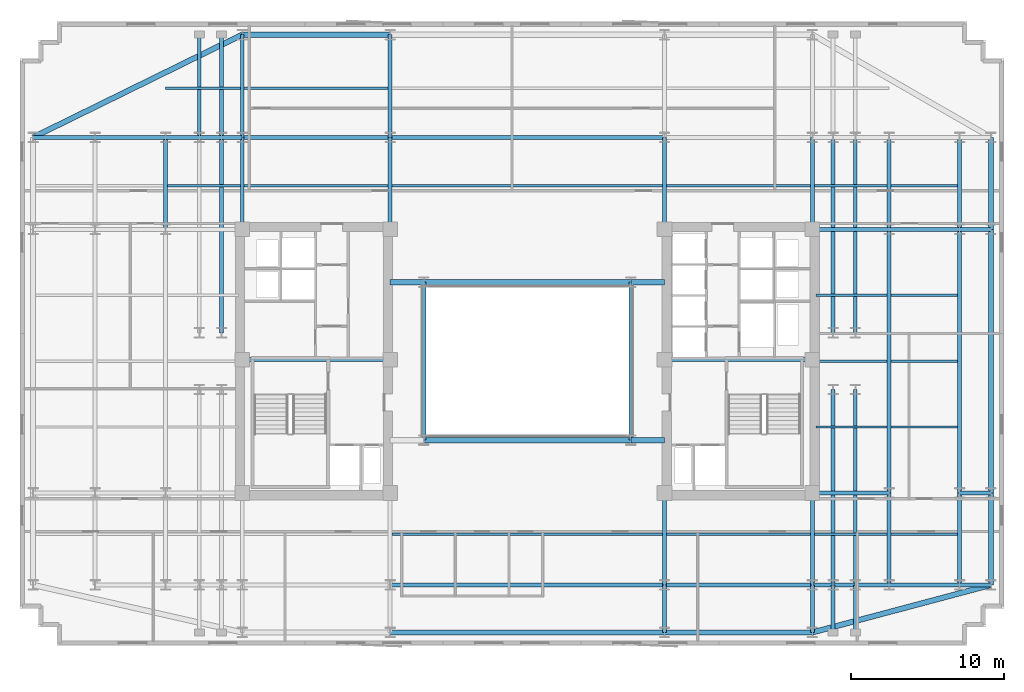
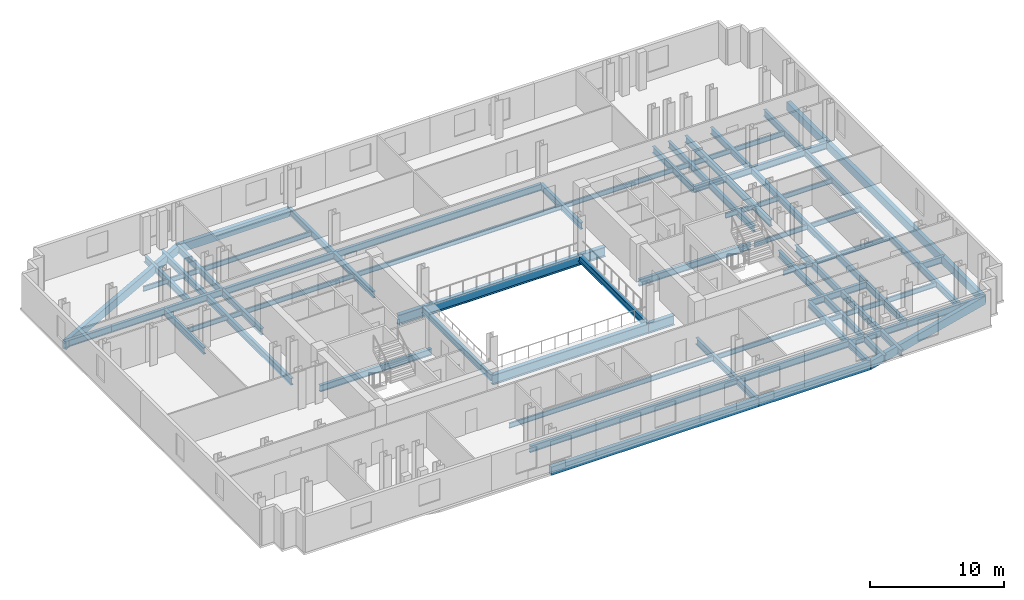
# One storey, part 2 of 10: 76 beams.
"""IFC4 building model written with IfcOpenShell, lengths in metres."""

import ifcopenshell
import ifcopenshell.guid

model = None  # the IFC model being written
_history = None  # IfcOwnerHistory: only IFC2X3 demands one
_inside = {}  # id of a spatial element -> (the spatial element, [elements in it])
_under = {}  # id of a project, library or spatial element -> (it, [spatial elements below it])
_declared = {}  # id of a project -> (the project, [libraries it declares])
_typed = {}  # id of a type object -> (the type object, [elements of that type])
_made_of = {}  # id of a material, layer set ... -> (it, [elements and type objects made of it])


def new_model(schema):
    """Start an empty IFC model of exactly this schema.

    Asked for "IFC4X3", IfcOpenShell would pick the latest addendum, in which some entities
    have other attributes; the version numbers below select the first issue.
    IFC2X3 requires an IfcOwnerHistory on every rooted entity: one is made here for all.
    """
    global model, _history
    if schema == "IFC4X3":
        model = ifcopenshell.file(schema_version=(4, 3, 0, 0))
    else:
        model = ifcopenshell.file(schema=schema)
    _inside.clear()
    _under.clear()
    _declared.clear()
    _typed.clear()
    _made_of.clear()
    _history = None
    if model.schema == "IFC2X3":
        org = make("IfcOrganization", Name="unknown")
        user = make(
            "IfcPersonAndOrganization",
            ThePerson=make("IfcPerson", FamilyName="unknown"),
            TheOrganization=org,
        )
        app = make(
            "IfcApplication",
            ApplicationDeveloper=org,
            Version="unknown",
            ApplicationFullName="unknown",
            ApplicationIdentifier="unknown",
        )
        _history = make(
            "IfcOwnerHistory",
            OwningUser=user,
            OwningApplication=app,
            ChangeAction="ADDED",
            CreationDate=0,
        )
    return model


def make(cls, **values):
    """One entity of the class cls with the attributes given. An attribute that is None is left unset."""
    return model.create_entity(
        cls, **{name: value for name, value in values.items() if value is not None}
    )


def rooted(cls, **values):
    """An entity with a GlobalId (a new one), such as an element, a storey or a relation."""
    return make(cls, GlobalId=ifcopenshell.guid.new(), OwnerHistory=_history, **values)


def si_unit(unit_type, name, prefix=None):
    """IfcSIUnit, for example si_unit("LENGTHUNIT", "METRE", prefix="MILLI")."""
    return make("IfcSIUnit", UnitType=unit_type, Prefix=prefix, Name=name)


def assignment(units):
    """IfcUnitAssignment: the units of a project."""
    return None if units is None else make("IfcUnitAssignment", Units=units)


def point(xyz):
    """IfcCartesianPoint."""
    return None if xyz is None else make("IfcCartesianPoint", Coordinates=xyz)


def direction(xyz):
    """IfcDirection."""
    return None if xyz is None else make("IfcDirection", DirectionRatios=xyz)


def frame(location, z_axis=None, x_axis=None):
    """IfcAxis2Placement3D, a coordinate frame: its origin and axes. An axis left out is left unset."""
    return make(
        "IfcAxis2Placement3D",
        Location=point(location),
        Axis=direction(z_axis),
        RefDirection=direction(x_axis),
    )


def frame_2d(location, x_axis=None):
    """IfcAxis2Placement2D, a coordinate frame in the plane: its origin and x axis."""
    return make(
        "IfcAxis2Placement2D", Location=point(location), RefDirection=direction(x_axis)
    )


def origin():
    """The frame at (0, 0, 0) with its axes left unset."""
    return frame((0.0, 0.0, 0.0))


def origin_2d():
    """The frame at (0, 0) in the plane with its x axis left unset."""
    return frame_2d((0.0, 0.0))


def place(relative_to, where):
    """IfcLocalPlacement: puts the frame where relative to a parent placement (None: the world)."""
    return make(
        "IfcLocalPlacement", PlacementRelTo=relative_to, RelativePlacement=where
    )


def context(
    kind, dimensions, precision=None, world=None, true_north=None, identifier=None
):
    """IfcGeometricRepresentationContext, for example the 3D "Model" context."""
    return make(
        "IfcGeometricRepresentationContext",
        ContextIdentifier=identifier,
        ContextType=kind,
        CoordinateSpaceDimension=dimensions,
        Precision=precision,
        WorldCoordinateSystem=world,
        TrueNorth=true_north,
    )


def subcontext(parent, identifier, kind, view, scale=None):
    """IfcGeometricRepresentationSubContext, for example "Body" below "Model"."""
    return make(
        "IfcGeometricRepresentationSubContext",
        ContextIdentifier=identifier,
        ContextType=kind,
        ParentContext=parent,
        TargetScale=scale,
        TargetView=view,
    )


def project(units=None, contexts=None):
    """IfcProject with its units and contexts."""
    return rooted(
        "IfcProject",
        Name="project",
        RepresentationContexts=contexts,
        UnitsInContext=assignment(units),
    )


def spatial(cls, under=None, at=None, **own):
    """A site, building, storey or space (cls), placed at a placement, below another one or the project."""
    s = rooted(cls, ObjectPlacement=at, **own)
    if under is not None:
        _under.setdefault(under.id(), (under, []))[1].append(s)
    return s


def profile(cls, at=None, kind="AREA", **sizes):
    """A parametric profile (cls). Its sizes go by their IFC names, for example OverallWidth=200.0."""
    return make(cls, ProfileType=kind, Position=at, **sizes)


def rectangle(**sizes):
    """IfcRectangleProfileDef."""
    return profile("IfcRectangleProfileDef", **sizes)


def i_section(**sizes):
    """IfcIShapeProfileDef."""
    return profile("IfcIShapeProfileDef", **sizes)


def extrude(swept, where, along, depth):
    """IfcExtrudedAreaSolid: the profile swept, set in the frame where, extruded along a direction by depth."""
    return make(
        "IfcExtrudedAreaSolid",
        SweptArea=swept,
        Position=where,
        ExtrudedDirection=direction(along),
        Depth=depth,
    )


def shape(context_of_items, identifier, shape_type, items):
    """IfcShapeRepresentation: the items that make up one representation, for example the "Body"."""
    return make(
        "IfcShapeRepresentation",
        ContextOfItems=context_of_items,
        RepresentationIdentifier=identifier,
        RepresentationType=shape_type,
        Items=items,
    )


def material(Name=None, Category=None):
    """IfcMaterial."""
    return make("IfcMaterial", Name=Name, Category=Category)


def material_profile(
    of_material, cross_section, Name=None, Category=None, Priority=None
):
    """IfcMaterialProfile: a cross section and its material."""
    return make(
        "IfcMaterialProfile",
        Name=Name,
        Material=of_material,
        Profile=cross_section,
        Priority=Priority,
        Category=Category,
    )


def profile_set(profiles, Name=None, composite=None):
    """IfcMaterialProfileSet."""
    return make(
        "IfcMaterialProfileSet",
        Name=Name,
        MaterialProfiles=profiles,
        CompositeProfile=composite,
    )


def made_of(thing, what):
    """Note that an element or type object is made of a material, layer set ...; save() writes the relation."""
    if what is not None:
        _made_of.setdefault(what.id(), (what, []))[1].append(thing)
    return thing


def type_object(cls, material=None, **own):
    """A type object (cls), such as IfcWallType, which elements share."""
    return made_of(rooted(cls, **own), material)


def element(
    cls,
    number,
    at=None,
    inside=None,
    cuts=None,
    type_object=None,
    material=None,
    context=None,
    identifier="Body",
    shape_type=None,
    held_by="IfcProductDefinitionShape",
    body=None,
    shapes=None,
    **own,
):
    """One element of the class cls, such as IfcWall. Its Tag is "e" and its number.

    at: its placement. inside: the storey or other place that contains it. cuts: it is an
    opening in that element (IfcRelVoidsElement). A single representation is given by context,
    identifier, shape_type and body (its items); several are given by shapes. held_by: the class
    of the entity that holds the representations. save() writes the other relations.
    """
    e = rooted(cls, Tag="e%d" % number, ObjectPlacement=at, **own)
    if body is not None:
        shapes = [shape(context, identifier, shape_type, body)]
    if shapes is not None:
        e.Representation = make(held_by, Representations=shapes)
    if inside is not None:
        _inside.setdefault(inside.id(), (inside, []))[1].append(e)
    if cuts is not None:
        rooted(
            "IfcRelVoidsElement", RelatingBuildingElement=cuts, RelatedOpeningElement=e
        )
    if type_object is not None:
        _typed.setdefault(type_object.id(), (type_object, []))[1].append(e)
    return made_of(e, material)


def aggregate(whole, parts):
    """IfcRelAggregates: a whole, such as a stair, and the parts it consists of."""
    return rooted("IfcRelAggregates", RelatingObject=whole, RelatedObjects=parts)


def save(model, path):
    """Write the relations noted so far, then the file.

    IfcRelAggregates (storeys below a building ...), IfcRelContainedInSpatialStructure (elements
    in a storey), IfcRelDefinesByType, IfcRelAssociatesMaterial and IfcRelDeclares: one each for
    every whole, place, type object, material and project.
    """
    for whole, parts in _under.values():
        aggregate(whole, parts)
    for where, things in _inside.values():
        rooted(
            "IfcRelContainedInSpatialStructure",
            RelatedElements=things,
            RelatingStructure=where,
        )
    for kind, things in _typed.values():
        rooted("IfcRelDefinesByType", RelatedObjects=things, RelatingType=kind)
    for what, things in _made_of.values():
        rooted("IfcRelAssociatesMaterial", RelatedObjects=things, RelatingMaterial=what)
    for by, libraries in _declared.values():
        rooted("IfcRelDeclares", RelatingContext=by, RelatedDefinitions=libraries)
    model.write(path)


model = new_model("IFC4")

# Units and contexts
model_context = context("Model", 3, precision=1e-05, world=origin(), true_north=direction((0.0, 1.0)))
body_context = subcontext(model_context, "Body", "Model", "MODEL_VIEW")
ifc_project = project(units=[si_unit("LENGTHUNIT", "METRE"), si_unit("AREAUNIT", "SQUARE_METRE"), si_unit("VOLUMEUNIT", "CUBIC_METRE"), si_unit("PLANEANGLEUNIT", "RADIAN"), si_unit("MASSUNIT", "GRAM", prefix="KILO")], contexts=[model_context])

# Site, building, storey
site_placement = place(None, origin())
site = spatial("IfcSite", under=ifc_project, at=site_placement, CompositionType="ELEMENT")
building_placement = place(site_placement, origin())
building = spatial("IfcBuilding", under=site, at=building_placement, Name="Velakula Bourse", CompositionType="ELEMENT")
storey_placement = place(building_placement, frame((0.0, 0.0, 141.550048828125)))
storey = spatial("IfcBuildingStorey", under=building, at=storey_placement, Name="L38", CompositionType="ELEMENT", Elevation=141.550048828125)

# Beams
ifc_material_1 = material(Name="Steel IS 2062 Grade 350 (E350)", Category="steel")
ifc_material_profile_1 = material_profile(ifc_material_1, i_section(OverallWidth=0.25, OverallDepth=0.60009765625, WebThickness=0.01123046875, FlangeThickness=0.021240234375, at=origin_2d()), Name="Steel IS 2062 Grade 350 (E350)")
ifc_profile_set_1 = profile_set([ifc_material_profile_1], Name="Steel IS 2062 Grade 350 (E350)")
beam_type_1 = type_object("IfcBeamType", Name="BM-GRD-600M", PredefinedType="BEAM", material=ifc_profile_set_1)
for number, where, z_axis, x_axis, name in (
    (1, (-18.60009765625, 0.10009765625, -0.47998046875), (1.0, 0.0, 0.0), (0.0, 1.0, 0.0), "L38 Primary Backbone Girder CRW-M"),
    (2, (8.949951171875, 0.10009765625, -0.47998046875), (1.0, 0.0, 0.0), (0.0, 1.0, 0.0), "L38 Primary Backbone Girder CRE-M"),
):
    element("IfcBeam", number, at=place(storey_placement, frame(where, z_axis=z_axis, x_axis=x_axis)), inside=storey, type_object=beam_type_1, Name=name, PredefinedType="BEAM", context=body_context, shape_type="SweptSolid", body=[
        extrude(i_section(OverallWidth=0.25, OverallDepth=0.60009765625, WebThickness=0.01123046875, FlangeThickness=0.021240234375, at=origin_2d()), origin(), (0.0, 0.0, 1.0), 9.650146484375),
    ])
for number, where, z_axis, x_axis, name in (
    (3, (-6.75, -5.14990234375, -0.47998046875), (0.0, 1.0, 0.0), (-1.0, 0.0, 0.0), "L38 Primary Backbone Girder SPN-W"),
    (4, (6.75, -5.14990234375, -0.47998046875), (0.0, 1.0, 0.0), (-1.0, 0.0, 0.0), "L38 Primary Backbone Girder SPN-E"),
):
    element("IfcBeam", number, at=place(storey_placement, frame(where, z_axis=z_axis, x_axis=x_axis)), inside=storey, type_object=beam_type_1, Name=name, PredefinedType="BEAM", context=body_context, shape_type="SweptSolid", body=[
        extrude(i_section(OverallWidth=0.25, OverallDepth=0.60009765625, WebThickness=0.01123046875, FlangeThickness=0.021240234375, at=origin_2d()), origin(), (0.0, 0.0, 1.0), 10.2998046875),
    ])
for number, where, z_axis, x_axis, name in (
    (5, (-18.60009765625, 8.60009765625, -0.47998046875), (0.0, 1.0, 0.0), (-1.0, 0.0, 0.0), "L38 Fulcrum Grid Girder FLC-WN"),
    (6, (-8.949951171875, 8.60009765625, -0.47998046875), (0.0, 1.0, 0.0), (-1.0, 0.0, 0.0), "L38 Fulcrum Grid Girder FLC-WCN"),
    (7, (8.949951171875, -14.60009765625, -0.47998046875), (0.0, 1.0, 0.0), (-1.0, 0.0, 0.0), "L38 Fulcrum Grid Girder FLC-ECS"),
    (8, (8.949951171875, 8.60009765625, -0.47998046875), (0.0, 1.0, 0.0), (-1.0, 0.0, 0.0), "L38 Fulcrum Grid Girder FLC-ECN"),
    (9, (18.60009765625, -14.60009765625, -0.47998046875), (0.0, 1.0, 0.0), (-1.0, 0.0, 0.0), "L38 Fulcrum Grid Girder FLC-ES"),
    (10, (18.60009765625, 8.60009765625, -0.47998046875), (0.0, 1.0, 0.0), (-1.0, 0.0, 0.0), "L38 Fulcrum Grid Girder FLC-EN"),
):
    element("IfcBeam", number, at=place(storey_placement, frame(where, z_axis=z_axis, x_axis=x_axis)), inside=storey, type_object=beam_type_1, Name=name, PredefinedType="BEAM", context=body_context, shape_type="SweptSolid", body=[
        extrude(i_section(OverallWidth=0.25, OverallDepth=0.60009765625, WebThickness=0.01123046875, FlangeThickness=0.021240234375, at=origin_2d()), origin(), (0.0, 0.0, 1.0), 6.0),
    ])
beam_1_placement = place(storey_placement, frame((-8.949951171875, -14.60009765625, -0.47998046875), z_axis=(1.0, 0.0, 0.0), x_axis=(0.0, 1.0, 0.0)))
element("IfcBeam", 11, at=beam_1_placement, inside=storey, type_object=beam_type_1, Name="L38 Fulcrum Grid Girder FLC-S2", PredefinedType="BEAM", context=body_context, shape_type="SweptSolid", body=[
    extrude(i_section(OverallWidth=0.25, OverallDepth=0.60009765625, WebThickness=0.01123046875, FlangeThickness=0.021240234375, at=origin_2d()), origin(), (0.0, 0.0, 1.0), 17.89990234375),
])
for number, where, z_axis, x_axis, name in (
    (12, (8.949951171875, -14.60009765625, -0.47998046875), (1.0, 0.0, 0.0), (0.0, 1.0, 0.0), "L38 Fulcrum Grid Girder FLC-S3"),
    (13, (-18.60009765625, 14.60009765625, -0.47998046875), (1.0, 0.0, 0.0), (0.0, 1.0, 0.0), "L38 Fulcrum Grid Girder FLC-N1"),
):
    element("IfcBeam", number, at=place(storey_placement, frame(where, z_axis=z_axis, x_axis=x_axis)), inside=storey, type_object=beam_type_1, Name=name, PredefinedType="BEAM", context=body_context, shape_type="SweptSolid", body=[
        extrude(i_section(OverallWidth=0.25, OverallDepth=0.60009765625, WebThickness=0.01123046875, FlangeThickness=0.021240234375, at=origin_2d()), origin(), (0.0, 0.0, 1.0), 9.650146484375),
    ])
beam_2_placement = place(storey_placement, frame((-8.949951171875, 14.60009765625, -0.47998046875), z_axis=(1.0, 0.0, 0.0), x_axis=(0.0, 1.0, 0.0)))
element("IfcBeam", 14, at=beam_2_placement, inside=storey, type_object=beam_type_1, Name="L38 Fulcrum Grid Girder FLC-N2", PredefinedType="BEAM", context=body_context, shape_type="SweptSolid", body=[
    extrude(i_section(OverallWidth=0.25, OverallDepth=0.60009765625, WebThickness=0.01123046875, FlangeThickness=0.021240234375, at=origin_2d()), origin(), (0.0, 0.0, 1.0), 17.89990234375),
])
for number, where, z_axis, x_axis, name in (
    (15, (-19.949951171875, 1.85009765625, -0.47998046875), (0.0, 1.0, 0.0), (-1.0, 0.0, 0.0), "L38 Fulcrum Grid Girder FLC-PNW2"),
    (16, (19.949951171875, -14.60009765625, -0.47998046875), (0.0, 1.0, 0.0), (-1.0, 0.0, 0.0), "L38 Fulcrum Grid Girder FLC-PSE1"),
    (17, (19.949951171875, 1.85009765625, -0.47998046875), (0.0, 1.0, 0.0), (-1.0, 0.0, 0.0), "L38 Fulcrum Grid Girder FLC-PNE1"),
    (18, (21.39990234375, -14.60009765625, -0.47998046875), (0.0, 1.0, 0.0), (-1.0, 0.0, 0.0), "L38 Fulcrum Grid Girder FLC-PSE2"),
    (19, (21.39990234375, 1.85009765625, -0.47998046875), (0.0, 1.0, 0.0), (-1.0, 0.0, 0.0), "L38 Fulcrum Grid Girder FLC-PNE2"),
):
    element("IfcBeam", number, at=place(storey_placement, frame(where, z_axis=z_axis, x_axis=x_axis)), inside=storey, type_object=beam_type_1, Name=name, PredefinedType="BEAM", context=body_context, shape_type="SweptSolid", body=[
        extrude(i_section(OverallWidth=0.25, OverallDepth=0.60009765625, WebThickness=0.01123046875, FlangeThickness=0.021240234375, at=origin_2d()), origin(), (0.0, 0.0, 1.0), 12.75),
    ])
beam_3_placement = place(storey_placement, frame((-23.60009765625, 14.60009765625, -0.47998046875), z_axis=(1.0, 0.0, 0.0), x_axis=(0.0, 1.0, 0.0)))
element("IfcBeam", 20, at=beam_3_placement, inside=storey, type_object=beam_type_1, Name="L38 Fulcrum Grid Girder MWG-WN2", PredefinedType="BEAM", context=body_context, shape_type="SweptSolid", body=[
    extrude(i_section(OverallWidth=0.25, OverallDepth=0.60009765625, WebThickness=0.01123046875, FlangeThickness=0.021240234375, at=origin_2d()), origin(), (0.0, 0.0, 1.0), 5.0),
])
beam_4_placement = place(storey_placement, frame((-23.60009765625, 8.60009765625, -0.47998046875), z_axis=(0.0, 1.0, 0.0), x_axis=(-1.0, 0.0, 0.0)))
element("IfcBeam", 21, at=beam_4_placement, inside=storey, type_object=beam_type_1, Name="L38 Fulcrum Grid Girder MWG-WNS3", PredefinedType="BEAM", context=body_context, shape_type="SweptSolid", body=[
    extrude(i_section(OverallWidth=0.25, OverallDepth=0.60009765625, WebThickness=0.01123046875, FlangeThickness=0.021240234375, at=origin_2d()), origin(), (0.0, 0.0, 1.0), 6.0),
])
for number, where, z_axis, x_axis, name in (
    (22, (18.60009765625, -14.60009765625, -0.47998046875), (1.0, 0.0, 0.0), (0.0, 1.0, 0.0), "L38 Fulcrum Grid Girder MWG-ES1"),
    (23, (18.60009765625, -8.60009765625, -0.47998046875), (1.0, 0.0, 0.0), (0.0, 1.0, 0.0), "L38 Fulcrum Grid Girder MWG-ES2"),
    (24, (18.60009765625, 8.60009765625, -0.47998046875), (1.0, 0.0, 0.0), (0.0, 1.0, 0.0), "L38 Fulcrum Grid Girder MWG-EN1"),
):
    element("IfcBeam", number, at=place(storey_placement, frame(where, z_axis=z_axis, x_axis=x_axis)), inside=storey, type_object=beam_type_1, Name=name, PredefinedType="BEAM", context=body_context, shape_type="SweptSolid", body=[
        extrude(i_section(OverallWidth=0.25, OverallDepth=0.60009765625, WebThickness=0.01123046875, FlangeThickness=0.021240234375, at=origin_2d()), origin(), (0.0, 0.0, 1.0), 5.0),
    ])
beam_5_placement = place(storey_placement, frame((23.60009765625, -14.60009765625, -0.47998046875), z_axis=(0.0, 1.0, 0.0), x_axis=(-1.0, 0.0, 0.0)))
element("IfcBeam", 25, at=beam_5_placement, inside=storey, type_object=beam_type_1, Name="L38 Fulcrum Grid Girder MWG-ENS1", PredefinedType="BEAM", context=body_context, shape_type="SweptSolid", body=[
    extrude(i_section(OverallWidth=0.25, OverallDepth=0.60009765625, WebThickness=0.01123046875, FlangeThickness=0.021240234375, at=origin_2d()), origin(), (0.0, 0.0, 1.0), 6.0),
])
beam_6_placement = place(storey_placement, frame((23.60009765625, -8.60009765625, -0.47998046875), z_axis=(0.0, 1.0, 0.0), x_axis=(-1.0, 0.0, 0.0)))
element("IfcBeam", 26, at=beam_6_placement, inside=storey, type_object=beam_type_1, Name="L38 Fulcrum Grid Girder MWG-ENS2", PredefinedType="BEAM", context=body_context, shape_type="SweptSolid", body=[
    extrude(i_section(OverallWidth=0.25, OverallDepth=0.60009765625, WebThickness=0.01123046875, FlangeThickness=0.021240234375, at=origin_2d()), origin(), (0.0, 0.0, 1.0), 17.2001953125),
])
beam_7_placement = place(storey_placement, frame((23.60009765625, 8.60009765625, -0.47998046875), z_axis=(0.0, 1.0, 0.0), x_axis=(-1.0, 0.0, 0.0)))
element("IfcBeam", 27, at=beam_7_placement, inside=storey, type_object=beam_type_1, Name="L38 Fulcrum Grid Girder MWG-ENS3", PredefinedType="BEAM", context=body_context, shape_type="SweptSolid", body=[
    extrude(i_section(OverallWidth=0.25, OverallDepth=0.60009765625, WebThickness=0.01123046875, FlangeThickness=0.021240234375, at=origin_2d()), origin(), (0.0, 0.0, 1.0), 6.0),
])
for number, where, z_axis, x_axis, name in (
    (28, (-28.199951171875, 14.60009765625, -0.47998046875), (1.0, 0.0, 0.0), (0.0, 1.0, 0.0), "L38 Fulcrum Grid Girder WNG-WN2"),
    (29, (23.60009765625, -14.60009765625, -0.47998046875), (1.0, 0.0, 0.0), (0.0, 1.0, 0.0), "L38 Fulcrum Grid Girder WNG-ES1"),
    (30, (23.60009765625, 8.60009765625, -0.47998046875), (1.0, 0.0, 0.0), (0.0, 1.0, 0.0), "L38 Fulcrum Grid Girder WNG-EN1"),
):
    element("IfcBeam", number, at=place(storey_placement, frame(where, z_axis=z_axis, x_axis=x_axis)), inside=storey, type_object=beam_type_1, Name=name, PredefinedType="BEAM", context=body_context, shape_type="SweptSolid", body=[
        extrude(i_section(OverallWidth=0.25, OverallDepth=0.60009765625, WebThickness=0.01123046875, FlangeThickness=0.021240234375, at=origin_2d()), origin(), (0.0, 0.0, 1.0), 4.599853515625),
    ])
beam_8_placement = place(storey_placement, frame((28.199951171875, -14.60009765625, -0.47998046875), z_axis=(0.0, 1.0, 0.0), x_axis=(-1.0, 0.0, 0.0)))
element("IfcBeam", 31, at=beam_8_placement, inside=storey, type_object=beam_type_1, Name="L38 Fulcrum Grid Girder WNG-ENS1", PredefinedType="BEAM", context=body_context, shape_type="SweptSolid", body=[
    extrude(i_section(OverallWidth=0.25, OverallDepth=0.60009765625, WebThickness=0.01123046875, FlangeThickness=0.021240234375, at=origin_2d()), origin(), (0.0, 0.0, 1.0), 6.0),
])
beam_9_placement = place(storey_placement, frame((28.199951171875, -8.60009765625, -0.47998046875), z_axis=(0.0, 1.0, 0.0), x_axis=(-1.0, 0.0, 0.0)))
element("IfcBeam", 32, at=beam_9_placement, inside=storey, type_object=beam_type_1, Name="L38 Fulcrum Grid Girder WNG-ENS2", PredefinedType="BEAM", context=body_context, shape_type="SweptSolid", body=[
    extrude(i_section(OverallWidth=0.25, OverallDepth=0.60009765625, WebThickness=0.01123046875, FlangeThickness=0.021240234375, at=origin_2d()), origin(), (0.0, 0.0, 1.0), 17.2001953125),
])
beam_10_placement = place(storey_placement, frame((28.199951171875, 8.60009765625, -0.47998046875), z_axis=(0.0, 1.0, 0.0), x_axis=(-1.0, 0.0, 0.0)))
element("IfcBeam", 33, at=beam_10_placement, inside=storey, type_object=beam_type_1, Name="L38 Fulcrum Grid Girder WNG-ENS3", PredefinedType="BEAM", context=body_context, shape_type="SweptSolid", body=[
    extrude(i_section(OverallWidth=0.25, OverallDepth=0.60009765625, WebThickness=0.01123046875, FlangeThickness=0.021240234375, at=origin_2d()), origin(), (0.0, 0.0, 1.0), 6.0),
])
for number, where, z_axis, x_axis, name in (
    (34, (8.949951171875, -14.60009765625, -0.47998046875), (0.0, -1.0, 0.0), (1.0, 0.0, 0.0), "L38 Perimeter Tie Girder S3"),
    (35, (18.60009765625, -14.60009765625, -0.47998046875), (0.0, -1.0, 0.0), (1.0, 0.0, 0.0), "L38 Perimeter Tie Girder S4"),
):
    element("IfcBeam", number, at=place(storey_placement, frame(where, z_axis=z_axis, x_axis=x_axis)), inside=storey, type_object=beam_type_1, Name=name, PredefinedType="BEAM", context=body_context, shape_type="SweptSolid", body=[
        extrude(i_section(OverallWidth=0.25, OverallDepth=0.60009765625, WebThickness=0.01123046875, FlangeThickness=0.021240234375, at=origin_2d()), origin(), (0.0, 0.0, 1.0), 3.099853515625),
    ])
for number, where, z_axis, x_axis, name in (
    (36, (-18.60009765625, 14.60009765625, -0.47998046875), (0.0, 1.0, 0.0), (-1.0, 0.0, 0.0), "L38 Perimeter Tie Girder N1"),
    (37, (-8.949951171875, 14.60009765625, -0.47998046875), (0.0, 1.0, 0.0), (-1.0, 0.0, 0.0), "L38 Perimeter Tie Girder N2"),
):
    element("IfcBeam", number, at=place(storey_placement, frame(where, z_axis=z_axis, x_axis=x_axis)), inside=storey, type_object=beam_type_1, Name=name, PredefinedType="BEAM", context=body_context, shape_type="SweptSolid", body=[
        extrude(i_section(OverallWidth=0.25, OverallDepth=0.60009765625, WebThickness=0.01123046875, FlangeThickness=0.021240234375, at=origin_2d()), origin(), (0.0, 0.0, 1.0), 6.699951171875),
    ])
beam_11_placement = place(storey_placement, frame((-28.199951171875, 14.60009765625, -0.47998046875), z_axis=(-1.0, 0.0, 0.0), x_axis=(0.0, -1.0, 0.0)))
element("IfcBeam", 38, at=beam_11_placement, inside=storey, type_object=beam_type_1, Name="L38 Perimeter Tie Girder W4", PredefinedType="BEAM", context=body_context, shape_type="SweptSolid", body=[
    extrude(i_section(OverallWidth=0.25, OverallDepth=0.60009765625, WebThickness=0.01123046875, FlangeThickness=0.021240234375, at=origin_2d()), origin(), (0.0, 0.0, 1.0), 4.050048828125),
])
for number, where, z_axis, x_axis, name in (
    (39, (28.199951171875, -14.60009765625, -0.47998046875), (1.0, 0.0, 0.0), (0.0, 1.0, 0.0), "L38 Perimeter Tie Girder E1"),
    (40, (28.199951171875, -8.60009765625, -0.47998046875), (1.0, 0.0, 0.0), (0.0, 1.0, 0.0), "L38 Perimeter Tie Girder E2"),
    (41, (28.199951171875, 8.60009765625, -0.47998046875), (1.0, 0.0, 0.0), (0.0, 1.0, 0.0), "L38 Perimeter Tie Girder E3"),
):
    element("IfcBeam", number, at=place(storey_placement, frame(where, z_axis=z_axis, x_axis=x_axis)), inside=storey, type_object=beam_type_1, Name=name, PredefinedType="BEAM", context=body_context, shape_type="SweptSolid", body=[
        extrude(i_section(OverallWidth=0.25, OverallDepth=0.60009765625, WebThickness=0.01123046875, FlangeThickness=0.021240234375, at=origin_2d()), origin(), (0.0, 0.0, 1.0), 2.050048828125),
    ])
for number, where, z_axis, x_axis, name in (
    (42, (19.949951171875, -14.60009765625, -0.47998046875), (0.0, -1.0, 0.0), (1.0, 0.0, 0.0), "L38 Perimeter Tie Girder P03"),
    (43, (21.39990234375, -14.60009765625, -0.47998046875), (0.0, -1.0, 0.0), (1.0, 0.0, 0.0), "L38 Perimeter Tie Girder P04"),
):
    element("IfcBeam", number, at=place(storey_placement, frame(where, z_axis=z_axis, x_axis=x_axis)), inside=storey, type_object=beam_type_1, Name=name, PredefinedType="BEAM", context=body_context, shape_type="SweptSolid", body=[
        extrude(i_section(OverallWidth=0.25, OverallDepth=0.60009765625, WebThickness=0.01123046875, FlangeThickness=0.021240234375, at=origin_2d()), origin(), (0.0, 0.0, 1.0), 3.099853515625),
    ])
for number, where, z_axis, x_axis, name in (
    (44, (-21.39990234375, 14.60009765625, -0.47998046875), (0.0, 1.0, 0.0), (-1.0, 0.0, 0.0), "L38 Perimeter Tie Girder P05"),
    (45, (-19.949951171875, 14.60009765625, -0.47998046875), (0.0, 1.0, 0.0), (-1.0, 0.0, 0.0), "L38 Perimeter Tie Girder P06"),
):
    element("IfcBeam", number, at=place(storey_placement, frame(where, z_axis=z_axis, x_axis=x_axis)), inside=storey, type_object=beam_type_1, Name=name, PredefinedType="BEAM", context=body_context, shape_type="SweptSolid", body=[
        extrude(i_section(OverallWidth=0.25, OverallDepth=0.60009765625, WebThickness=0.01123046875, FlangeThickness=0.021240234375, at=origin_2d()), origin(), (0.0, 0.0, 1.0), 6.699951171875),
    ])
ifc_material_profile_2 = material_profile(ifc_material_1, i_section(OverallWidth=0.35009765625, OverallDepth=0.89990234375, WebThickness=0.02001953125, FlangeThickness=0.031982421875, at=origin_2d()), Name="Steel IS 2062 Grade 350 (E350)")
ifc_profile_set_2 = profile_set([ifc_material_profile_2], Name="Steel IS 2062 Grade 350 (E350)")
beam_type_2 = type_object("IfcBeamType", Name="BM-LNK-900", PredefinedType="BEAM", material=ifc_profile_set_2)
beam_12_placement = place(storey_placement, frame((-6.75, -5.14990234375, -0.630126953125), z_axis=(1.0, 0.0, 0.0), x_axis=(0.0, 1.0, 0.0)))
element("IfcBeam", 46, at=beam_12_placement, inside=storey, type_object=beam_type_2, Name="L38 Primary Backbone Girder LNK-S2", PredefinedType="BEAM", context=body_context, shape_type="SweptSolid", body=[
    extrude(i_section(OverallWidth=0.35009765625, OverallDepth=0.89990234375, WebThickness=0.02001953125, FlangeThickness=0.031982421875, at=origin_2d()), origin(), (0.0, 0.0, 1.0), 13.5),
])
for number, where, z_axis, x_axis, name in (
    (47, (6.75, -5.14990234375, -0.630126953125), (1.0, 0.0, 0.0), (0.0, 1.0, 0.0), "L38 Primary Backbone Girder LNK-S3"),
    (48, (-8.949951171875, 5.14990234375, -0.630126953125), (1.0, 0.0, 0.0), (0.0, 1.0, 0.0), "L38 Primary Backbone Girder LNK-N1"),
):
    element("IfcBeam", number, at=place(storey_placement, frame(where, z_axis=z_axis, x_axis=x_axis)), inside=storey, type_object=beam_type_2, Name=name, PredefinedType="BEAM", context=body_context, shape_type="SweptSolid", body=[
        extrude(i_section(OverallWidth=0.35009765625, OverallDepth=0.89990234375, WebThickness=0.02001953125, FlangeThickness=0.031982421875, at=origin_2d()), origin(), (0.0, 0.0, 1.0), 2.199951171875),
    ])
beam_13_placement = place(storey_placement, frame((-6.75, 5.14990234375, -0.630126953125), z_axis=(1.0, 0.0, 0.0), x_axis=(0.0, 1.0, 0.0)))
element("IfcBeam", 49, at=beam_13_placement, inside=storey, type_object=beam_type_2, Name="L38 Primary Backbone Girder LNK-N2", PredefinedType="BEAM", context=body_context, shape_type="SweptSolid", body=[
    extrude(i_section(OverallWidth=0.35009765625, OverallDepth=0.89990234375, WebThickness=0.02001953125, FlangeThickness=0.031982421875, at=origin_2d()), origin(), (0.0, 0.0, 1.0), 13.5),
])
beam_14_placement = place(storey_placement, frame((6.75, 5.14990234375, -0.630126953125), z_axis=(1.0, 0.0, 0.0), x_axis=(0.0, 1.0, 0.0)))
element("IfcBeam", 50, at=beam_14_placement, inside=storey, type_object=beam_type_2, Name="L38 Primary Backbone Girder LNK-N3", PredefinedType="BEAM", context=body_context, shape_type="SweptSolid", body=[
    extrude(i_section(OverallWidth=0.35009765625, OverallDepth=0.89990234375, WebThickness=0.02001953125, FlangeThickness=0.031982421875, at=origin_2d()), origin(), (0.0, 0.0, 1.0), 2.199951171875),
])
ifc_material_profile_3 = material_profile(ifc_material_1, i_section(OverallWidth=0.14990234375, OverallDepth=0.449951171875, WebThickness=0.009521484375, FlangeThickness=0.017333984375, at=origin_2d()), Name="Steel IS 2062 Grade 350 (E350)")
ifc_profile_set_3 = profile_set([ifc_material_profile_3], Name="Steel IS 2062 Grade 350 (E350)")
beam_type_3 = type_object("IfcBeamType", Name="JST-TWR-450", PredefinedType="JOIST", material=ifc_profile_set_3)
beam_15_placement = place(storey_placement, frame((-8.824951171875, -11.300048828125, -0.405029296875), z_axis=(1.0, 0.0, 0.0), x_axis=(0.0, 1.0, 0.0)))
element("IfcBeam", 51, at=beam_15_placement, inside=storey, type_object=beam_type_3, Name="L38 Trading Floor Composite Joist 05", PredefinedType="JOIST", context=body_context, shape_type="SweptSolid", body=[
    extrude(i_section(OverallWidth=0.14990234375, OverallDepth=0.449951171875, WebThickness=0.009521484375, FlangeThickness=0.017333984375, at=origin_2d()), origin(), (0.0, 0.0, 1.0), 17.64990234375),
])
beam_16_placement = place(storey_placement, frame((9.074951171875, -11.300048828125, -0.405029296875), z_axis=(1.0, 0.0, 0.0), x_axis=(0.0, 1.0, 0.0)))
element("IfcBeam", 52, at=beam_16_placement, inside=storey, type_object=beam_type_3, Name="L38 Trading Floor Composite Joist 06", PredefinedType="JOIST", context=body_context, shape_type="SweptSolid", body=[
    extrude(i_section(OverallWidth=0.14990234375, OverallDepth=0.449951171875, WebThickness=0.009521484375, FlangeThickness=0.017333984375, at=origin_2d()), origin(), (0.0, 0.0, 1.0), 9.400146484375),
])
beam_17_placement = place(storey_placement, frame((18.72509765625, -11.300048828125, -0.405029296875), z_axis=(1.0, 0.0, 0.0), x_axis=(0.0, 1.0, 0.0)))
element("IfcBeam", 53, at=beam_17_placement, inside=storey, type_object=beam_type_3, Name="L38 Trading Floor Composite Joist 07", PredefinedType="JOIST", context=body_context, shape_type="SweptSolid", body=[
    extrude(i_section(OverallWidth=0.14990234375, OverallDepth=0.449951171875, WebThickness=0.009521484375, FlangeThickness=0.017333984375, at=origin_2d()), origin(), (0.0, 0.0, 1.0), 4.75),
])
beam_18_placement = place(storey_placement, frame((23.72509765625, -11.300048828125, -0.405029296875), z_axis=(1.0, 0.0, 0.0), x_axis=(0.0, 1.0, 0.0)))
element("IfcBeam", 54, at=beam_18_placement, inside=storey, type_object=beam_type_3, Name="L38 Trading Floor Composite Joist 08", PredefinedType="JOIST", context=body_context, shape_type="SweptSolid", body=[
    extrude(i_section(OverallWidth=0.14990234375, OverallDepth=0.449951171875, WebThickness=0.009521484375, FlangeThickness=0.017333984375, at=origin_2d()), origin(), (0.0, 0.0, 1.0), 4.349853515625),
])
beam_19_placement = place(storey_placement, frame((-23.47509765625, 11.449951171875, -0.405029296875), z_axis=(1.0, 0.0, 0.0), x_axis=(0.0, 1.0, 0.0)))
element("IfcBeam", 55, at=beam_19_placement, inside=storey, type_object=beam_type_3, Name="L38 Trading Floor Composite Joist 11", PredefinedType="JOIST", context=body_context, shape_type="SweptSolid", body=[
    extrude(i_section(OverallWidth=0.14990234375, OverallDepth=0.449951171875, WebThickness=0.009521484375, FlangeThickness=0.017333984375, at=origin_2d()), origin(), (0.0, 0.0, 1.0), 4.75),
])
beam_20_placement = place(storey_placement, frame((-18.47509765625, 11.449951171875, -0.405029296875), z_axis=(1.0, 0.0, 0.0), x_axis=(0.0, 1.0, 0.0)))
element("IfcBeam", 56, at=beam_20_placement, inside=storey, type_object=beam_type_3, Name="L38 Trading Floor Composite Joist 12", PredefinedType="JOIST", context=body_context, shape_type="SweptSolid", body=[
    extrude(i_section(OverallWidth=0.14990234375, OverallDepth=0.449951171875, WebThickness=0.009521484375, FlangeThickness=0.017333984375, at=origin_2d()), origin(), (0.0, 0.0, 1.0), 9.400146484375),
])
beam_21_placement = place(storey_placement, frame((-8.824951171875, 11.449951171875, -0.405029296875), z_axis=(1.0, 0.0, 0.0), x_axis=(0.0, 1.0, 0.0)))
element("IfcBeam", 57, at=beam_21_placement, inside=storey, type_object=beam_type_3, Name="L38 Trading Floor Composite Joist 13", PredefinedType="JOIST", context=body_context, shape_type="SweptSolid", body=[
    extrude(i_section(OverallWidth=0.14990234375, OverallDepth=0.449951171875, WebThickness=0.009521484375, FlangeThickness=0.017333984375, at=origin_2d()), origin(), (0.0, 0.0, 1.0), 17.64990234375),
])
beam_22_placement = place(storey_placement, frame((9.074951171875, 11.449951171875, -0.405029296875), z_axis=(1.0, 0.0, 0.0), x_axis=(0.0, 1.0, 0.0)))
element("IfcBeam", 58, at=beam_22_placement, inside=storey, type_object=beam_type_3, Name="L38 Trading Floor Composite Joist 14", PredefinedType="JOIST", context=body_context, shape_type="SweptSolid", body=[
    extrude(i_section(OverallWidth=0.14990234375, OverallDepth=0.449951171875, WebThickness=0.009521484375, FlangeThickness=0.017333984375, at=origin_2d()), origin(), (0.0, 0.0, 1.0), 9.400146484375),
])
beam_23_placement = place(storey_placement, frame((18.72509765625, 11.449951171875, -0.405029296875), z_axis=(1.0, 0.0, 0.0), x_axis=(0.0, 1.0, 0.0)))
element("IfcBeam", 59, at=beam_23_placement, inside=storey, type_object=beam_type_3, Name="L38 Trading Floor Composite Joist 15", PredefinedType="JOIST", context=body_context, shape_type="SweptSolid", body=[
    extrude(i_section(OverallWidth=0.14990234375, OverallDepth=0.449951171875, WebThickness=0.009521484375, FlangeThickness=0.017333984375, at=origin_2d()), origin(), (0.0, 0.0, 1.0), 4.75),
])
beam_24_placement = place(storey_placement, frame((23.72509765625, 11.449951171875, -0.405029296875), z_axis=(1.0, 0.0, 0.0), x_axis=(0.0, 1.0, 0.0)))
element("IfcBeam", 60, at=beam_24_placement, inside=storey, type_object=beam_type_3, Name="L38 Trading Floor Composite Joist 16", PredefinedType="JOIST", context=body_context, shape_type="SweptSolid", body=[
    extrude(i_section(OverallWidth=0.14990234375, OverallDepth=0.449951171875, WebThickness=0.009521484375, FlangeThickness=0.017333984375, at=origin_2d()), origin(), (0.0, 0.0, 1.0), 4.349853515625),
])
beam_25_placement = place(storey_placement, frame((-23.60009765625, 17.800048828125, -0.405029296875), z_axis=(1.0, 0.0, 0.0), x_axis=(0.0, 1.0, 0.0)))
element("IfcBeam", 61, at=beam_25_placement, inside=storey, type_object=beam_type_3, Name="L38 Trading Floor Composite Joist 17", PredefinedType="JOIST", context=body_context, shape_type="SweptSolid", body=[
    extrude(i_section(OverallWidth=0.14990234375, OverallDepth=0.449951171875, WebThickness=0.009521484375, FlangeThickness=0.017333984375, at=origin_2d()), origin(), (0.0, 0.0, 1.0), 4.875),
])
beam_26_placement = place(storey_placement, frame((-18.47509765625, 17.800048828125, -0.405029296875), z_axis=(1.0, 0.0, 0.0), x_axis=(0.0, 1.0, 0.0)))
element("IfcBeam", 62, at=beam_26_placement, inside=storey, type_object=beam_type_3, Name="L38 Trading Floor Composite Joist 18", PredefinedType="JOIST", context=body_context, shape_type="SweptSolid", body=[
    extrude(i_section(OverallWidth=0.14990234375, OverallDepth=0.449951171875, WebThickness=0.009521484375, FlangeThickness=0.017333984375, at=origin_2d()), origin(), (0.0, 0.0, 1.0), 9.400146484375),
])
beam_27_placement = place(storey_placement, frame((18.85009765625, -4.300048828125, -0.405029296875), z_axis=(1.0, 0.0, 0.0), x_axis=(0.0, 1.0, 0.0)))
element("IfcBeam", 63, at=beam_27_placement, inside=storey, type_object=beam_type_3, Name="L38 Trading Floor Composite Joist 28", PredefinedType="JOIST", context=body_context, shape_type="SweptSolid", body=[
    extrude(i_section(OverallWidth=0.14990234375, OverallDepth=0.449951171875, WebThickness=0.009521484375, FlangeThickness=0.017333984375, at=origin_2d()), origin(), (0.0, 0.0, 1.0), 4.625),
])
beam_28_placement = place(storey_placement, frame((23.72509765625, -4.300048828125, -0.405029296875), z_axis=(1.0, 0.0, 0.0), x_axis=(0.0, 1.0, 0.0)))
element("IfcBeam", 64, at=beam_28_placement, inside=storey, type_object=beam_type_3, Name="L38 Trading Floor Composite Joist 29", PredefinedType="JOIST", context=body_context, shape_type="SweptSolid", body=[
    extrude(i_section(OverallWidth=0.14990234375, OverallDepth=0.449951171875, WebThickness=0.009521484375, FlangeThickness=0.017333984375, at=origin_2d()), origin(), (0.0, 0.0, 1.0), 4.349853515625),
])
beam_29_placement = place(storey_placement, frame((18.85009765625, 0.0, -0.405029296875), z_axis=(1.0, 0.0, 0.0), x_axis=(0.0, 1.0, 0.0)))
element("IfcBeam", 65, at=beam_29_placement, inside=storey, type_object=beam_type_3, Name="L38 Trading Floor Composite Joist 33", PredefinedType="JOIST", context=body_context, shape_type="SweptSolid", body=[
    extrude(i_section(OverallWidth=0.14990234375, OverallDepth=0.449951171875, WebThickness=0.009521484375, FlangeThickness=0.017333984375, at=origin_2d()), origin(), (0.0, 0.0, 1.0), 4.625),
])
beam_30_placement = place(storey_placement, frame((23.72509765625, 0.0, -0.405029296875), z_axis=(1.0, 0.0, 0.0), x_axis=(0.0, 1.0, 0.0)))
element("IfcBeam", 66, at=beam_30_placement, inside=storey, type_object=beam_type_3, Name="L38 Trading Floor Composite Joist 34", PredefinedType="JOIST", context=body_context, shape_type="SweptSolid", body=[
    extrude(i_section(OverallWidth=0.14990234375, OverallDepth=0.449951171875, WebThickness=0.009521484375, FlangeThickness=0.017333984375, at=origin_2d()), origin(), (0.0, 0.0, 1.0), 4.349853515625),
])
beam_31_placement = place(storey_placement, frame((18.85009765625, 4.300048828125, -0.405029296875), z_axis=(1.0, 0.0, 0.0), x_axis=(0.0, 1.0, 0.0)))
element("IfcBeam", 67, at=beam_31_placement, inside=storey, type_object=beam_type_3, Name="L38 Trading Floor Composite Joist 38", PredefinedType="JOIST", context=body_context, shape_type="SweptSolid", body=[
    extrude(i_section(OverallWidth=0.14990234375, OverallDepth=0.449951171875, WebThickness=0.009521484375, FlangeThickness=0.017333984375, at=origin_2d()), origin(), (0.0, 0.0, 1.0), 4.625),
])
beam_32_placement = place(storey_placement, frame((23.72509765625, 4.300048828125, -0.405029296875), z_axis=(1.0, 0.0, 0.0), x_axis=(0.0, 1.0, 0.0)))
element("IfcBeam", 68, at=beam_32_placement, inside=storey, type_object=beam_type_3, Name="L38 Trading Floor Composite Joist 39", PredefinedType="JOIST", context=body_context, shape_type="SweptSolid", body=[
    extrude(i_section(OverallWidth=0.14990234375, OverallDepth=0.449951171875, WebThickness=0.009521484375, FlangeThickness=0.017333984375, at=origin_2d()), origin(), (0.0, 0.0, 1.0), 4.349853515625),
])
ifc_material_2 = material(Name="Precast concrete M45 (fck 45 MPa)", Category="concrete")
ifc_material_profile_4 = material_profile(ifc_material_2, rectangle(XDim=0.35009765625, YDim=0.75, at=origin_2d()), Name="Precast concrete M45 (fck 45 MPa)")
ifc_profile_set_4 = profile_set([ifc_material_profile_4], Name="Precast concrete M45 (fck 45 MPa)")
beam_type_4 = type_object("IfcBeamType", Name="SPN-BRICK-750", PredefinedType="SPANDREL", material=ifc_profile_set_4)
beam_33_placement = place(storey_placement, frame((-8.949951171875, -17.699951171875, -0.554931640625), z_axis=(1.0, 0.0, 0.0), x_axis=(0.0, 1.0, 0.0)))
element("IfcBeam", 69, at=beam_33_placement, inside=storey, type_object=beam_type_4, Name="L38 Brick-Faced Precast Spandrel S2-S3", PredefinedType="SPANDREL", context=body_context, shape_type="SweptSolid", body=[
    extrude(rectangle(XDim=0.35009765625, YDim=0.75, at=origin_2d()), origin(), (0.0, 0.0, 1.0), 17.89990234375),
])
for number, where, z_axis, x_axis, name in (
    (70, (8.949951171875, -17.699951171875, -0.554931640625), (1.0, 0.0, 0.0), (0.0, 1.0, 0.0), "L38 Brick-Faced Precast Spandrel S3-S4"),
    (71, (-18.60009765625, 21.300048828125, -0.554931640625), (1.0, 0.0, 0.0), (0.0, 1.0, 0.0), "L38 Brick-Faced Precast Spandrel N1-N2"),
):
    element("IfcBeam", number, at=place(storey_placement, frame(where, z_axis=z_axis, x_axis=x_axis)), inside=storey, type_object=beam_type_4, Name=name, PredefinedType="SPANDREL", context=body_context, shape_type="SweptSolid", body=[
        extrude(rectangle(XDim=0.35009765625, YDim=0.75, at=origin_2d()), origin(), (0.0, 0.0, 1.0), 9.650146484375),
    ])
beam_34_placement = place(storey_placement, frame((30.25, -14.60009765625, -0.554931640625), z_axis=(0.0, 1.0, 0.0), x_axis=(-1.0, 0.0, 0.0)))
element("IfcBeam", 72, at=beam_34_placement, inside=storey, type_object=beam_type_4, Name="L38 Brick-Faced Precast Spandrel E1-E2", PredefinedType="SPANDREL", context=body_context, shape_type="SweptSolid", body=[
    extrude(rectangle(XDim=0.35009765625, YDim=0.75, at=origin_2d()), origin(), (0.0, 0.0, 1.0), 6.0),
])
beam_35_placement = place(storey_placement, frame((30.25, -8.60009765625, -0.554931640625), z_axis=(0.0, 1.0, 0.0), x_axis=(-1.0, 0.0, 0.0)))
element("IfcBeam", 73, at=beam_35_placement, inside=storey, type_object=beam_type_4, Name="L38 Brick-Faced Precast Spandrel E2-E3", PredefinedType="SPANDREL", context=body_context, shape_type="SweptSolid", body=[
    extrude(rectangle(XDim=0.35009765625, YDim=0.75, at=origin_2d()), origin(), (0.0, 0.0, 1.0), 17.2001953125),
])
beam_36_placement = place(storey_placement, frame((30.25, 8.60009765625, -0.554931640625), z_axis=(0.0, 1.0, 0.0), x_axis=(-1.0, 0.0, 0.0)))
element("IfcBeam", 74, at=beam_36_placement, inside=storey, type_object=beam_type_4, Name="L38 Brick-Faced Precast Spandrel E3-E4", PredefinedType="SPANDREL", context=body_context, shape_type="SweptSolid", body=[
    extrude(rectangle(XDim=0.35009765625, YDim=0.75, at=origin_2d()), origin(), (0.0, 0.0, 1.0), 6.0),
])
beam_37_placement = place(storey_placement, frame((18.60009765625, -17.699951171875, -0.554931640625), z_axis=(0.966374962557, 0.257136990226, 0.0), x_axis=(-0.257136990226, 0.966374962557, 0.0)))
element("IfcBeam", 75, at=beam_37_placement, inside=storey, type_object=beam_type_4, Name="L38 Brick-Faced Precast Spandrel S4-E1", PredefinedType="SPANDREL", context=body_context, shape_type="SweptSolid", body=[
    extrude(rectangle(XDim=0.35009765625, YDim=0.75, at=origin_2d()), origin(), (0.0, 0.0, 1.0), 12.05517578125),
])
beam_38_placement = place(storey_placement, frame((-18.60009765625, 21.300048828125, -0.554931640625), z_axis=(-0.897691282679, -0.440624966385, 0.0), x_axis=(0.440624966385, -0.897691282679, 0.0)))
element("IfcBeam", 76, at=beam_38_placement, inside=storey, type_object=beam_type_4, Name="L38 Brick-Faced Precast Spandrel N1-W4", PredefinedType="SPANDREL", context=body_context, shape_type="SweptSolid", body=[
    extrude(rectangle(XDim=0.35009765625, YDim=0.75, at=origin_2d()), origin(), (0.0, 0.0, 1.0), 15.20556640625),
])

save(model, "model.ifc")
